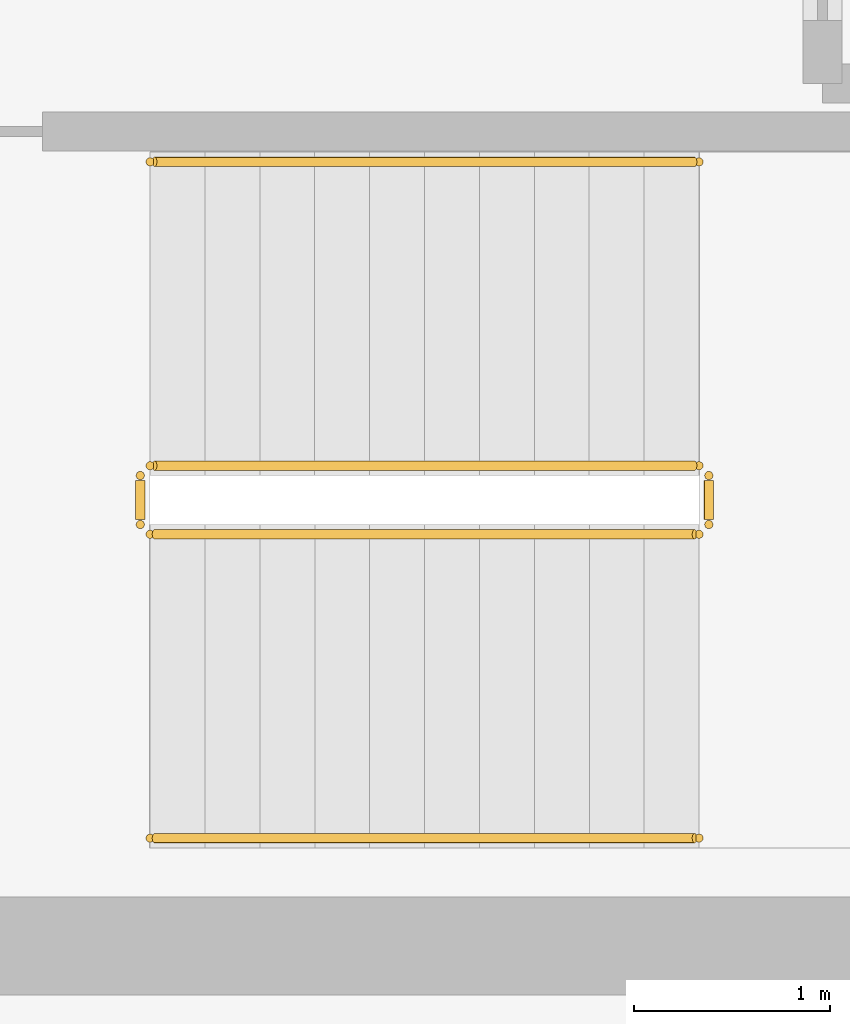
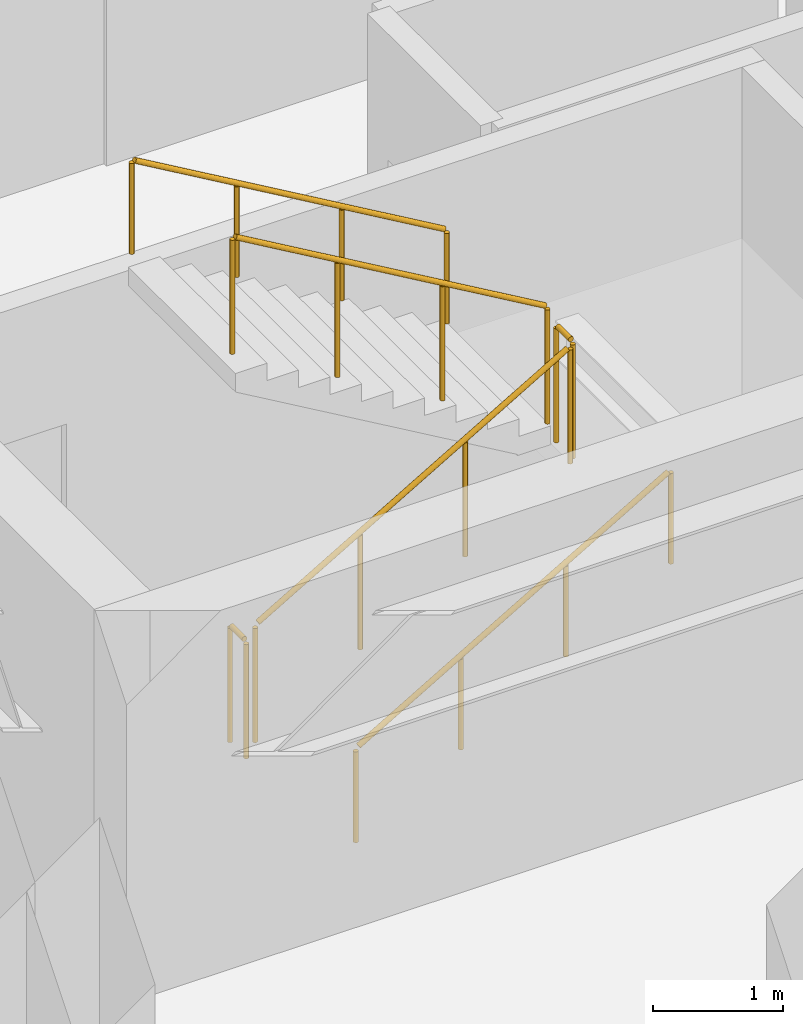
# One storey, part 13 of 13: 6 railings.
"""IFC4 building model written with IfcOpenShell, lengths in metres."""

from ifc_helpers import new_model, si_unit, direction, frame, origin, origin_2d, place, context, subcontext, project, spatial, circle, extrude, source, transform, mapped, material, layer, layer_set, type_object, element, save


model = new_model("IFC4")

# Units and contexts
model_context = context("Model", 3, precision=1e-05, world=origin(), true_north=direction((0.0, 1.0)))
body_context = subcontext(model_context, "Body", "Model", "MODEL_VIEW")
ifc_project = project(units=[si_unit("LENGTHUNIT", "METRE"), si_unit("AREAUNIT", "SQUARE_METRE"), si_unit("VOLUMEUNIT", "CUBIC_METRE"), si_unit("PLANEANGLEUNIT", "RADIAN"), si_unit("MASSUNIT", "GRAM", prefix="KILO")], contexts=[model_context])

# Site, building, storey
site_placement = place(None, origin())
site = spatial("IfcSite", under=ifc_project, at=site_placement, CompositionType="ELEMENT")
building_placement = place(site_placement, origin())
building = spatial("IfcBuilding", under=site, at=building_placement, Name="Kharzan Plaza Tower", CompositionType="ELEMENT")
storey_placement = place(building_placement, frame((0.0, 0.0, 244.800048828125)))
storey = spatial("IfcBuildingStorey", under=building, at=storey_placement, Name="L66", CompositionType="ELEMENT", Elevation=244.800048828125)

# Railings
ifc_material_1 = material(Name="Painted Galvanized Architectural Steel", Category="steel")
ifc_layer_1 = layer(ifc_material_1, 0.074951171875)
ifc_layer_set_1 = layer_set([ifc_layer_1], Name="Painted Galvanized Architectural Steel")
railing_type_1 = type_object("IfcRailingType", Name="RL-GUARD-1120", PredefinedType="BALUSTRADE", material=ifc_layer_set_1)
shared_shape_1 = source(origin(), body_context, "Body", "SweptSolid", [
    extrude(circle(Radius=0.02392578125, at=origin_2d()), frame((0.0, 0.0263671875, 1.09619140625), z_axis=(0.0, 1.0, 0.0), x_axis=(-1.0, 0.0, 0.0)), (0.0, 0.0, 1.0), 0.197021484375),
    extrude(circle(Radius=0.02099609375, at=origin_2d()), origin(), (0.0, 0.0, 1.0), 1.072021484375),
    extrude(circle(Radius=0.02099609375, at=origin_2d()), frame((0.0, 0.25, 0.0)), (0.0, 0.0, 1.0), 1.072021484375),
])
for number, where, name in (
    (1, (41.10009765625, 6.64990234375, 1.800048828125), "L66 ST-3 stair guard 2"),
    (2, (38.199951171875, 6.64990234375, 0.0), "L66 ST-3 stair guard 4"),
):
    element("IfcRailing", number, at=place(storey_placement, frame(where)), inside=storey, type_object=railing_type_1, Name=name, PredefinedType="BALUSTRADE", context=body_context, shape_type="MappedRepresentation", body=[
        mapped(shared_shape_1, transform((0.0, 0.0, 0.0), x_axis=(1.0, 0.0, 0.0), y_axis=(0.0, 1.0, 0.0), z_axis=(0.0, 0.0, 1.0))),
    ])
shared_shape_2 = source(origin(), body_context, "Body", "SweptSolid", [
    extrude(circle(Radius=0.02392578125, at=origin_2d()), frame((0.02294921875, 0.0, 1.109375), z_axis=(0.863360870873, 0.0, 0.504586966384), x_axis=(0.0, 1.0, 0.0)), (0.0, 0.0, 1.0), 3.190185546875),
    extrude(circle(Radius=0.02099609375, at=origin_2d()), origin(), (0.0, 0.0, 1.0), 1.072021484375),
    extrude(circle(Radius=0.02099609375, at=origin_2d()), frame((0.933349609375, 0.0, 0.54541015625)), (0.0, 0.0, 1.0), 1.072021484375),
    extrude(circle(Radius=0.02099609375, at=origin_2d()), frame((1.86669921875, 0.0, 1.091064453125)), (0.0, 0.0, 1.0), 1.072021484375),
    extrude(circle(Radius=0.02099609375, at=origin_2d()), frame((2.800048828125, 0.0, 1.636474609375)), (0.0, 0.0, 1.0), 1.072021484375),
])
railing_1_placement = place(storey_placement, frame((38.25, 6.60009765625, 0.16357421875)))
element("IfcRailing", 3, at=railing_1_placement, inside=storey, type_object=railing_type_1, Name="L66 ST-3 stair guard 1", PredefinedType="BALUSTRADE", context=body_context, shape_type="MappedRepresentation", body=[
    mapped(shared_shape_2, transform((0.0, 0.0, 0.0), x_axis=(1.0, 0.0, 0.0), y_axis=(0.0, 1.0, 0.0), z_axis=(0.0, 0.0, 1.0))),
])
ifc_material_2 = material(Name="Brushed Stainless Steel", Category="steel")
ifc_layer_2 = layer(ifc_material_2, 0.050048828125)
ifc_layer_set_2 = layer_set([ifc_layer_2], Name="Brushed Stainless Steel")
railing_type_2 = type_object("IfcRailingType", Name="RL-STAIR-HR920", PredefinedType="HANDRAIL", material=ifc_layer_set_2)
shared_shape_3 = source(origin(), body_context, "Body", "SweptSolid", [
    extrude(circle(Radius=0.02392578125, at=origin_2d()), frame((0.02294921875, 0.0, 0.88916015625), z_axis=(0.863360870873, 0.0, 0.504586966384), x_axis=(0.0, 1.0, 0.0)), (0.0, 0.0, 1.0), 3.190185546875),
    extrude(circle(Radius=0.02099609375, at=origin_2d()), origin(), (0.0, 0.0, 1.0), 0.851806640625),
    extrude(circle(Radius=0.02099609375, at=origin_2d()), frame((0.933349609375, 0.0, 0.54541015625)), (0.0, 0.0, 1.0), 0.851806640625),
    extrude(circle(Radius=0.02099609375, at=origin_2d()), frame((1.86669921875, 0.0, 1.091064453125)), (0.0, 0.0, 1.0), 0.851806640625),
    extrude(circle(Radius=0.02099609375, at=origin_2d()), frame((2.800048828125, 0.0, 1.636474609375)), (0.0, 0.0, 1.0), 0.851806640625),
])
railing_2_placement = place(storey_placement, frame((38.25, 5.050048828125, 0.16357421875)))
element("IfcRailing", 4, at=railing_2_placement, inside=storey, type_object=railing_type_2, Name="L66 ST-3 stair handrail 1", PredefinedType="HANDRAIL", context=body_context, shape_type="MappedRepresentation", body=[
    mapped(shared_shape_3, transform((0.0, 0.0, 0.0), x_axis=(1.0, 0.0, 0.0), y_axis=(0.0, 1.0, 0.0), z_axis=(0.0, 0.0, 1.0))),
])
shared_shape_4 = source(origin(), body_context, "Body", "SweptSolid", [
    extrude(circle(Radius=0.02392578125, at=origin_2d()), frame((-0.02294921875, 0.0, 1.109375), z_axis=(-0.863393664356, 0.0, 0.504530851732), x_axis=(0.0, -1.0, 0.0)), (0.0, 0.0, 1.0), 3.190185546875),
    extrude(circle(Radius=0.02099609375, at=origin_2d()), origin(), (0.0, 0.0, 1.0), 1.072021484375),
    extrude(circle(Radius=0.02099609375, at=origin_2d()), frame((-0.933349609375, 0.0, 0.54541015625)), (0.0, 0.0, 1.0), 1.072021484375),
    extrude(circle(Radius=0.02099609375, at=origin_2d()), frame((-1.86669921875, 0.0, 1.0908203125)), (0.0, 0.0, 1.0), 1.072021484375),
    extrude(circle(Radius=0.02099609375, at=origin_2d()), frame((-2.800048828125, 0.0, 1.63623046875)), (0.0, 0.0, 1.0), 1.072021484375),
])
railing_3_placement = place(storey_placement, frame((41.050048828125, 6.949951171875, 1.963623046875)))
element("IfcRailing", 5, at=railing_3_placement, inside=storey, type_object=railing_type_1, Name="L66 ST-3 stair guard 3", PredefinedType="BALUSTRADE", context=body_context, shape_type="MappedRepresentation", body=[
    mapped(shared_shape_4, transform((0.0, 0.0, 0.0), x_axis=(1.0, 0.0, 0.0), y_axis=(0.0, 1.0, 0.0), z_axis=(0.0, 0.0, 1.0))),
])
shared_shape_5 = source(origin(), body_context, "Body", "SweptSolid", [
    extrude(circle(Radius=0.02392578125, at=origin_2d()), frame((-0.02294921875, 0.0, 0.88916015625), z_axis=(-0.863393664356, 0.0, 0.504530851732), x_axis=(0.0, -1.0, 0.0)), (0.0, 0.0, 1.0), 3.190185546875),
    extrude(circle(Radius=0.02099609375, at=origin_2d()), origin(), (0.0, 0.0, 1.0), 0.851806640625),
    extrude(circle(Radius=0.02099609375, at=origin_2d()), frame((-0.933349609375, 0.0, 0.54541015625)), (0.0, 0.0, 1.0), 0.851806640625),
    extrude(circle(Radius=0.02099609375, at=origin_2d()), frame((-1.86669921875, 0.0, 1.0908203125)), (0.0, 0.0, 1.0), 0.851806640625),
    extrude(circle(Radius=0.02099609375, at=origin_2d()), frame((-2.800048828125, 0.0, 1.63623046875)), (0.0, 0.0, 1.0), 0.851806640625),
])
railing_4_placement = place(storey_placement, frame((41.050048828125, 8.5, 1.963623046875)))
element("IfcRailing", 6, at=railing_4_placement, inside=storey, type_object=railing_type_2, Name="L66 ST-3 stair handrail 2", PredefinedType="HANDRAIL", context=body_context, shape_type="MappedRepresentation", body=[
    mapped(shared_shape_5, transform((0.0, 0.0, 0.0), x_axis=(1.0, 0.0, 0.0), y_axis=(0.0, 1.0, 0.0), z_axis=(0.0, 0.0, 1.0))),
])

save(model, "model.ifc")
